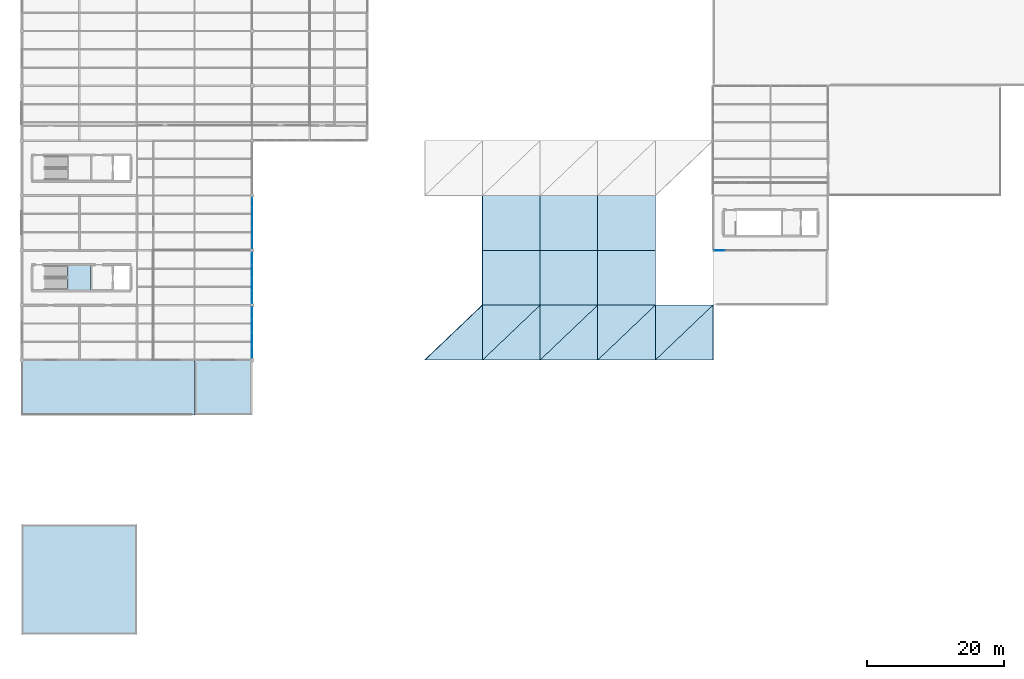
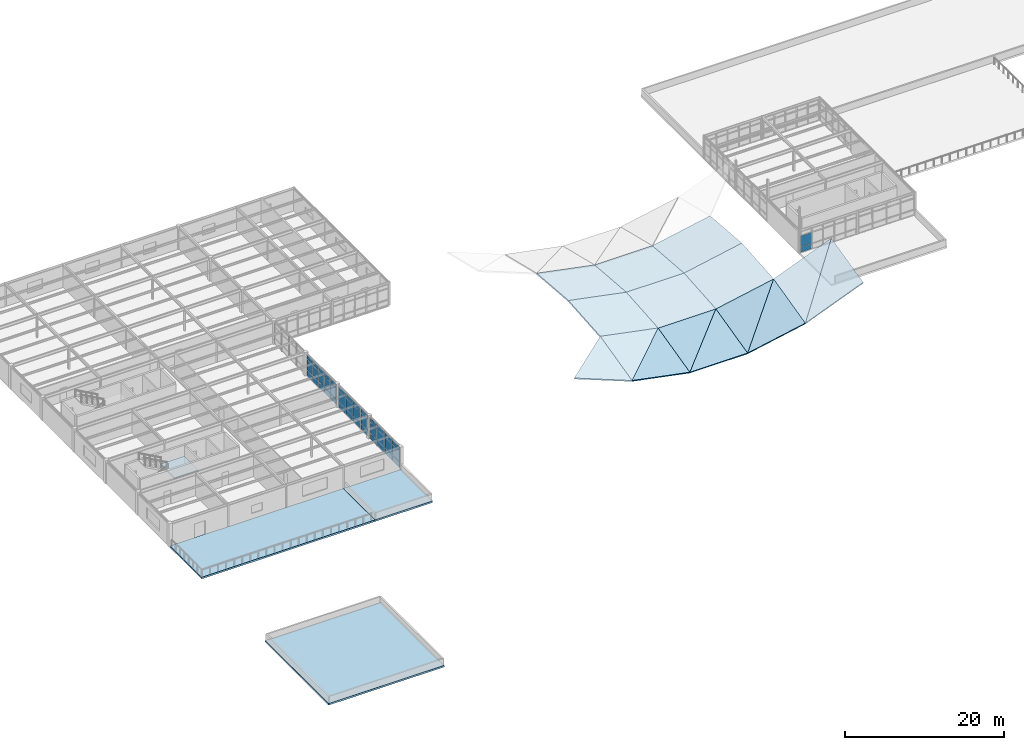
# One storey, part 19 of 32: 41 plates, 19 slabs, 5 elements without a shape of their own.
"""IFC4 building model written with IfcOpenShell, lengths in metres."""

from ifc_helpers import new_model, si_unit, direction, frame, origin, origin_2d, place, context, subcontext, project, spatial, polyline, rectangle, outline, extrude, material, layer, layer_set, type_object, element, aggregate, save


model = new_model("IFC4")

# Units and contexts
model_context = context("Model", 3, precision=1e-05, world=origin(), true_north=direction((0.0, 1.0)))
body_context = subcontext(model_context, "Body", "Model", "MODEL_VIEW")
ifc_project = project(units=[si_unit("LENGTHUNIT", "METRE"), si_unit("AREAUNIT", "SQUARE_METRE"), si_unit("VOLUMEUNIT", "CUBIC_METRE"), si_unit("PLANEANGLEUNIT", "RADIAN"), si_unit("MASSUNIT", "GRAM", prefix="KILO")], contexts=[model_context])

# Site, building, storey
site_placement = place(None, origin())
site = spatial("IfcSite", under=ifc_project, at=site_placement, CompositionType="ELEMENT")
building_placement = place(site_placement, origin())
building = spatial("IfcBuilding", under=site, at=building_placement, Name="Kranzveld Transit Interchange", CompositionType="ELEMENT")
storey_placement = place(building_placement, frame((0.0, 0.0, 17.199951171875)))
storey = spatial("IfcBuildingStorey", under=building, at=storey_placement, Name="L04", CompositionType="ELEMENT", Elevation=17.199951171875)

# Slabs
ifc_material_1 = material(Name="Concrete C35/45", Category="concrete")
ifc_layer_1 = layer(ifc_material_1, 0.260009765625)
ifc_layer_set_1 = layer_set([ifc_layer_1], Name="Concrete C35/45")
slab_type_1 = type_object("IfcSlabType", Name="Community Roof Slab 260 C35/45", PredefinedType="ROOF", material=ifc_layer_set_1)
slab_1_placement = place(storey_placement, frame((0.0, 0.0, -0.260009765625)))
element("IfcSlab", 1, at=slab_1_placement, inside=storey, type_object=slab_type_1, Name="L04 Flat Roof Slab 1", PredefinedType="ROOF", context=body_context, shape_type="SweptSolid", body=[
    extrude(outline(polyline([(16.800048828125, 32.0), (16.800048828125, 16.0), (0.0, 16.0), (0.0, 32.0), (16.800048828125, 32.0)])), origin(), (0.0, 0.0, 1.0), 0.260009765625),
])
slab_2_placement = place(storey_placement, frame((0.0, 0.0, -0.260009765625)))
element("IfcSlab", 2, at=slab_2_placement, inside=storey, type_object=slab_type_1, Name="L04 Flat Roof Slab 2", PredefinedType="ROOF", context=body_context, shape_type="SweptSolid", body=[
    extrude(outline(polyline([(33.60009765625, 48.0), (25.199951171875, 48.0), (25.199951171875, 56.0), (33.60009765625, 56.0), (33.60009765625, 48.0)])), origin(), (0.0, 0.0, 1.0), 0.260009765625),
])

# Curtain wall, plates
ifc_material_2 = material(Name="Bronze-anodised thermally broken aluminium", Category="aluminium")
ifc_layer_2 = layer(ifc_material_2, 0.1650390625)
ifc_layer_set_2 = layer_set([ifc_layer_2], Name="Bronze-anodised thermally broken aluminium")
curtain_wall_type_1 = type_object("IfcCurtainWallType", Name="Sunny Court Arcade Curtain Wall CW-2", PredefinedType="USERDEFINED", material=ifc_layer_set_2)
curtain_wall_1_placement = place(storey_placement, origin())
curtain_wall_1 = element("IfcCurtainWall", 3, at=curtain_wall_1_placement, inside=storey, type_object=curtain_wall_type_1, Name="L04 Curtain Wall 05/K-05/L", ObjectType="CURTAIN WALL", PredefinedType="USERDEFINED")
ifc_material_3 = material(Name="Solar-control double glazing", Category="glass")
ifc_layer_3 = layer(ifc_material_3, 0.02392578125)
ifc_layer_set_3 = layer_set([ifc_layer_3], Name="Solar-control double glazing")
plate_type_1 = type_object("IfcPlateType", Name="Curtain Panel Clear Glazing 24", PredefinedType="CURTAIN_PANEL", material=ifc_layer_set_3)
plate_1_placement = place(storey_placement, frame((33.60009765625, 73.016357421875, 0.06005859375), z_axis=(0.0, 0.0, 1.0), x_axis=(0.0, 1.0, 0.0)))
plate_1 = element("IfcPlate", 4, at=plate_1_placement, type_object=plate_type_1, Name="CW-2 panel 1.1", PredefinedType="CURTAIN_PANEL", context=body_context, shape_type="SweptSolid", body=[
    extrude(rectangle(XDim=1.402587890625, YDim=0.02392578125, at=origin_2d()), origin(), (0.0, 0.0, 1.0), 0.81005859375),
])
plate_2_placement = place(storey_placement, frame((33.60009765625, 73.016357421875, 0.93017578125), z_axis=(0.0, 0.0, 1.0), x_axis=(0.0, 1.0, 0.0)))
plate_2 = element("IfcPlate", 5, at=plate_2_placement, type_object=plate_type_1, Name="CW-2 panel 1.2", PredefinedType="CURTAIN_PANEL", context=body_context, shape_type="SweptSolid", body=[
    extrude(rectangle(XDim=1.402587890625, YDim=0.02392578125, at=origin_2d()), origin(), (0.0, 0.0, 1.0), 1.6298828125),
])
plate_3_placement = place(storey_placement, frame((33.60009765625, 73.016357421875, 2.6201171875), z_axis=(0.0, 0.0, 1.0), x_axis=(0.0, 1.0, 0.0)))
plate_3 = element("IfcPlate", 6, at=plate_3_placement, type_object=plate_type_1, Name="CW-2 panel 1.3", PredefinedType="CURTAIN_PANEL", context=body_context, shape_type="SweptSolid", body=[
    extrude(rectangle(XDim=1.402587890625, YDim=0.02392578125, at=origin_2d()), origin(), (0.0, 0.0, 1.0), 0.610107421875),
])
plate_4_placement = place(storey_placement, frame((33.60009765625, 74.5, 0.06005859375), z_axis=(0.0, 0.0, 1.0), x_axis=(0.0, 1.0, 0.0)))
plate_4 = element("IfcPlate", 7, at=plate_4_placement, type_object=plate_type_1, Name="CW-2 panel 2.1", PredefinedType="CURTAIN_PANEL", context=body_context, shape_type="SweptSolid", body=[
    extrude(rectangle(XDim=1.43505859375, YDim=0.02392578125, at=origin_2d()), origin(), (0.0, 0.0, 1.0), 0.81005859375),
])
plate_5_placement = place(storey_placement, frame((33.60009765625, 74.5, 0.93017578125), z_axis=(0.0, 0.0, 1.0), x_axis=(0.0, 1.0, 0.0)))
plate_5 = element("IfcPlate", 8, at=plate_5_placement, type_object=plate_type_1, Name="CW-2 panel 2.2", PredefinedType="CURTAIN_PANEL", context=body_context, shape_type="SweptSolid", body=[
    extrude(rectangle(XDim=1.43505859375, YDim=0.02392578125, at=origin_2d()), origin(), (0.0, 0.0, 1.0), 1.6298828125),
])
plate_6_placement = place(storey_placement, frame((33.60009765625, 74.5, 2.6201171875), z_axis=(0.0, 0.0, 1.0), x_axis=(0.0, 1.0, 0.0)))
plate_6 = element("IfcPlate", 9, at=plate_6_placement, type_object=plate_type_1, Name="CW-2 panel 2.3", PredefinedType="CURTAIN_PANEL", context=body_context, shape_type="SweptSolid", body=[
    extrude(rectangle(XDim=1.43505859375, YDim=0.02392578125, at=origin_2d()), origin(), (0.0, 0.0, 1.0), 0.610107421875),
])
plate_7_placement = place(storey_placement, frame((33.60009765625, 76.0, 0.06005859375), z_axis=(0.0, 0.0, 1.0), x_axis=(0.0, 1.0, 0.0)))
plate_7 = element("IfcPlate", 10, at=plate_7_placement, type_object=plate_type_1, Name="CW-2 panel 3.1", PredefinedType="CURTAIN_PANEL", context=body_context, shape_type="SweptSolid", body=[
    extrude(rectangle(XDim=1.43505859375, YDim=0.02392578125, at=origin_2d()), origin(), (0.0, 0.0, 1.0), 0.81005859375),
])
plate_8_placement = place(storey_placement, frame((33.60009765625, 76.0, 0.93017578125), z_axis=(0.0, 0.0, 1.0), x_axis=(0.0, 1.0, 0.0)))
plate_8 = element("IfcPlate", 11, at=plate_8_placement, type_object=plate_type_1, Name="CW-2 panel 3.2", PredefinedType="CURTAIN_PANEL", context=body_context, shape_type="SweptSolid", body=[
    extrude(rectangle(XDim=1.43505859375, YDim=0.02392578125, at=origin_2d()), origin(), (0.0, 0.0, 1.0), 1.6298828125),
])
plate_9_placement = place(storey_placement, frame((33.60009765625, 76.0, 2.6201171875), z_axis=(0.0, 0.0, 1.0), x_axis=(0.0, 1.0, 0.0)))
plate_9 = element("IfcPlate", 12, at=plate_9_placement, type_object=plate_type_1, Name="CW-2 panel 3.3", PredefinedType="CURTAIN_PANEL", context=body_context, shape_type="SweptSolid", body=[
    extrude(rectangle(XDim=1.43505859375, YDim=0.02392578125, at=origin_2d()), origin(), (0.0, 0.0, 1.0), 0.610107421875),
])
plate_10_placement = place(storey_placement, frame((33.60009765625, 77.5, 0.06005859375), z_axis=(0.0, 0.0, 1.0), x_axis=(0.0, 1.0, 0.0)))
plate_10 = element("IfcPlate", 13, at=plate_10_placement, type_object=plate_type_1, Name="CW-2 panel 4.1", PredefinedType="CURTAIN_PANEL", context=body_context, shape_type="SweptSolid", body=[
    extrude(rectangle(XDim=1.43505859375, YDim=0.02392578125, at=origin_2d()), origin(), (0.0, 0.0, 1.0), 0.81005859375),
])
plate_11_placement = place(storey_placement, frame((33.60009765625, 77.5, 0.93017578125), z_axis=(0.0, 0.0, 1.0), x_axis=(0.0, 1.0, 0.0)))
plate_11 = element("IfcPlate", 14, at=plate_11_placement, type_object=plate_type_1, Name="CW-2 panel 4.2", PredefinedType="CURTAIN_PANEL", context=body_context, shape_type="SweptSolid", body=[
    extrude(rectangle(XDim=1.43505859375, YDim=0.02392578125, at=origin_2d()), origin(), (0.0, 0.0, 1.0), 1.6298828125),
])
plate_12_placement = place(storey_placement, frame((33.60009765625, 77.5, 2.6201171875), z_axis=(0.0, 0.0, 1.0), x_axis=(0.0, 1.0, 0.0)))
plate_12 = element("IfcPlate", 15, at=plate_12_placement, type_object=plate_type_1, Name="CW-2 panel 4.3", PredefinedType="CURTAIN_PANEL", context=body_context, shape_type="SweptSolid", body=[
    extrude(rectangle(XDim=1.43505859375, YDim=0.02392578125, at=origin_2d()), origin(), (0.0, 0.0, 1.0), 0.610107421875),
])
plate_13_placement = place(storey_placement, frame((33.60009765625, 78.983642578125, 0.06005859375), z_axis=(0.0, 0.0, 1.0), x_axis=(0.0, 1.0, 0.0)))
plate_13 = element("IfcPlate", 16, at=plate_13_placement, type_object=plate_type_1, Name="CW-2 panel 5.1", PredefinedType="CURTAIN_PANEL", context=body_context, shape_type="SweptSolid", body=[
    extrude(rectangle(XDim=1.402587890625, YDim=0.02392578125, at=origin_2d()), origin(), (0.0, 0.0, 1.0), 0.81005859375),
])
plate_14_placement = place(storey_placement, frame((33.60009765625, 78.983642578125, 0.93017578125), z_axis=(0.0, 0.0, 1.0), x_axis=(0.0, 1.0, 0.0)))
plate_14 = element("IfcPlate", 17, at=plate_14_placement, type_object=plate_type_1, Name="CW-2 panel 5.2", PredefinedType="CURTAIN_PANEL", context=body_context, shape_type="SweptSolid", body=[
    extrude(rectangle(XDim=1.402587890625, YDim=0.02392578125, at=origin_2d()), origin(), (0.0, 0.0, 1.0), 1.6298828125),
])
plate_15_placement = place(storey_placement, frame((33.60009765625, 78.983642578125, 2.6201171875), z_axis=(0.0, 0.0, 1.0), x_axis=(0.0, 1.0, 0.0)))
plate_15 = element("IfcPlate", 18, at=plate_15_placement, type_object=plate_type_1, Name="CW-2 panel 5.3", PredefinedType="CURTAIN_PANEL", context=body_context, shape_type="SweptSolid", body=[
    extrude(rectangle(XDim=1.402587890625, YDim=0.02392578125, at=origin_2d()), origin(), (0.0, 0.0, 1.0), 0.610107421875),
])
aggregate(curtain_wall_1, [plate_1, plate_2, plate_3, plate_4, plate_5, plate_6, plate_7, plate_8, plate_9, plate_10, plate_11, plate_12, plate_13, plate_14, plate_15])

ifc_material_4 = material(Name="Bronze-anodised thermally broken aluminium", Category="aluminium")
ifc_layer_4 = layer(ifc_material_4, 0.179931640625)
ifc_layer_set_4 = layer_set([ifc_layer_4], Name="Bronze-anodised thermally broken aluminium")
curtain_wall_type_2 = type_object("IfcCurtainWallType", Name="Concourse Unitised Curtain Wall CW-1", PredefinedType="USERDEFINED", material=ifc_layer_set_4)
curtain_wall_2_placement = place(storey_placement, origin())
curtain_wall_2 = element("IfcCurtainWall", 19, at=curtain_wall_2_placement, inside=storey, type_object=curtain_wall_type_2, Name="L04 Curtain Wall 05/J-05/K", ObjectType="CURTAIN WALL", PredefinedType="USERDEFINED")
ifc_material_5 = material(Name="Solar-control double glazing", Category="glass")
ifc_layer_5 = layer(ifc_material_5, 0.028076171875)
ifc_layer_set_5 = layer_set([ifc_layer_5], Name="Solar-control double glazing")
plate_type_2 = type_object("IfcPlateType", Name="Curtain Panel Double Glazing 28", PredefinedType="CURTAIN_PANEL", material=ifc_layer_set_5)
plate_16_placement = place(storey_placement, frame((33.60009765625, 65.203857421875, 0.06494140625), z_axis=(0.0, 0.0, 1.0), x_axis=(0.0, 1.0, 0.0)))
plate_16 = element("IfcPlate", 20, at=plate_16_placement, type_object=plate_type_2, Name="CW-1 panel 1.1", PredefinedType="CURTAIN_PANEL", context=body_context, shape_type="SweptSolid", body=[
    extrude(rectangle(XDim=1.777587890625, YDim=0.028076171875, at=origin_2d()), origin(), (0.0, 0.0, 1.0), 0.802490234375),
])
plate_17_placement = place(storey_placement, frame((33.60009765625, 65.203857421875, 0.9326171875), z_axis=(0.0, 0.0, 1.0), x_axis=(0.0, 1.0, 0.0)))
plate_17 = element("IfcPlate", 21, at=plate_17_placement, type_object=plate_type_2, Name="CW-1 panel 1.2", PredefinedType="CURTAIN_PANEL", context=body_context, shape_type="SweptSolid", body=[
    extrude(rectangle(XDim=1.777587890625, YDim=0.028076171875, at=origin_2d()), origin(), (0.0, 0.0, 1.0), 1.625),
])
plate_18_placement = place(storey_placement, frame((33.60009765625, 65.203857421875, 2.62255859375), z_axis=(0.0, 0.0, 1.0), x_axis=(0.0, 1.0, 0.0)))
plate_18 = element("IfcPlate", 22, at=plate_18_placement, type_object=plate_type_2, Name="CW-1 panel 1.3", PredefinedType="CURTAIN_PANEL", context=body_context, shape_type="SweptSolid", body=[
    extrude(rectangle(XDim=1.777587890625, YDim=0.028076171875, at=origin_2d()), origin(), (0.0, 0.0, 1.0), 0.6025390625),
])
plate_19_placement = place(storey_placement, frame((33.60009765625, 67.0625, 0.06494140625), z_axis=(0.0, 0.0, 1.0), x_axis=(0.0, 1.0, 0.0)))
plate_19 = element("IfcPlate", 23, at=plate_19_placement, type_object=plate_type_2, Name="CW-1 panel 2.1", PredefinedType="CURTAIN_PANEL", context=body_context, shape_type="SweptSolid", body=[
    extrude(rectangle(XDim=1.81005859375, YDim=0.028076171875, at=origin_2d()), origin(), (0.0, 0.0, 1.0), 0.802490234375),
])
plate_20_placement = place(storey_placement, frame((33.60009765625, 67.0625, 0.9326171875), z_axis=(0.0, 0.0, 1.0), x_axis=(0.0, 1.0, 0.0)))
plate_20 = element("IfcPlate", 24, at=plate_20_placement, type_object=plate_type_2, Name="CW-1 panel 2.2", PredefinedType="CURTAIN_PANEL", context=body_context, shape_type="SweptSolid", body=[
    extrude(rectangle(XDim=1.81005859375, YDim=0.028076171875, at=origin_2d()), origin(), (0.0, 0.0, 1.0), 1.625),
])
plate_21_placement = place(storey_placement, frame((33.60009765625, 67.0625, 2.62255859375), z_axis=(0.0, 0.0, 1.0), x_axis=(0.0, 1.0, 0.0)))
plate_21 = element("IfcPlate", 25, at=plate_21_placement, type_object=plate_type_2, Name="CW-1 panel 2.3", PredefinedType="CURTAIN_PANEL", context=body_context, shape_type="SweptSolid", body=[
    extrude(rectangle(XDim=1.81005859375, YDim=0.028076171875, at=origin_2d()), origin(), (0.0, 0.0, 1.0), 0.6025390625),
])
plate_22_placement = place(storey_placement, frame((33.60009765625, 68.9375, 0.06494140625), z_axis=(0.0, 0.0, 1.0), x_axis=(0.0, 1.0, 0.0)))
plate_22 = element("IfcPlate", 26, at=plate_22_placement, type_object=plate_type_2, Name="CW-1 panel 3.1", PredefinedType="CURTAIN_PANEL", context=body_context, shape_type="SweptSolid", body=[
    extrude(rectangle(XDim=1.81005859375, YDim=0.028076171875, at=origin_2d()), origin(), (0.0, 0.0, 1.0), 0.802490234375),
])
plate_23_placement = place(storey_placement, frame((33.60009765625, 68.9375, 0.9326171875), z_axis=(0.0, 0.0, 1.0), x_axis=(0.0, 1.0, 0.0)))
plate_23 = element("IfcPlate", 27, at=plate_23_placement, type_object=plate_type_2, Name="CW-1 panel 3.2", PredefinedType="CURTAIN_PANEL", context=body_context, shape_type="SweptSolid", body=[
    extrude(rectangle(XDim=1.81005859375, YDim=0.028076171875, at=origin_2d()), origin(), (0.0, 0.0, 1.0), 1.625),
])
plate_24_placement = place(storey_placement, frame((33.60009765625, 68.9375, 2.62255859375), z_axis=(0.0, 0.0, 1.0), x_axis=(0.0, 1.0, 0.0)))
plate_24 = element("IfcPlate", 28, at=plate_24_placement, type_object=plate_type_2, Name="CW-1 panel 3.3", PredefinedType="CURTAIN_PANEL", context=body_context, shape_type="SweptSolid", body=[
    extrude(rectangle(XDim=1.81005859375, YDim=0.028076171875, at=origin_2d()), origin(), (0.0, 0.0, 1.0), 0.6025390625),
])
plate_25_placement = place(storey_placement, frame((33.60009765625, 70.796142578125, 0.06494140625), z_axis=(0.0, 0.0, 1.0), x_axis=(0.0, 1.0, 0.0)))
plate_25 = element("IfcPlate", 29, at=plate_25_placement, type_object=plate_type_2, Name="CW-1 panel 4.1", PredefinedType="CURTAIN_PANEL", context=body_context, shape_type="SweptSolid", body=[
    extrude(rectangle(XDim=1.777587890625, YDim=0.028076171875, at=origin_2d()), origin(), (0.0, 0.0, 1.0), 0.802490234375),
])
plate_26_placement = place(storey_placement, frame((33.60009765625, 70.796142578125, 0.9326171875), z_axis=(0.0, 0.0, 1.0), x_axis=(0.0, 1.0, 0.0)))
plate_26 = element("IfcPlate", 30, at=plate_26_placement, type_object=plate_type_2, Name="CW-1 panel 4.2", PredefinedType="CURTAIN_PANEL", context=body_context, shape_type="SweptSolid", body=[
    extrude(rectangle(XDim=1.777587890625, YDim=0.028076171875, at=origin_2d()), origin(), (0.0, 0.0, 1.0), 1.625),
])
plate_27_placement = place(storey_placement, frame((33.60009765625, 70.796142578125, 2.62255859375), z_axis=(0.0, 0.0, 1.0), x_axis=(0.0, 1.0, 0.0)))
plate_27 = element("IfcPlate", 31, at=plate_27_placement, type_object=plate_type_2, Name="CW-1 panel 4.3", PredefinedType="CURTAIN_PANEL", context=body_context, shape_type="SweptSolid", body=[
    extrude(rectangle(XDim=1.777587890625, YDim=0.028076171875, at=origin_2d()), origin(), (0.0, 0.0, 1.0), 0.6025390625),
])
aggregate(curtain_wall_2, [plate_16, plate_17, plate_18, plate_19, plate_20, plate_21, plate_22, plate_23, plate_24, plate_25, plate_26, plate_27])

curtain_wall_3_placement = place(storey_placement, origin())
curtain_wall_3 = element("IfcCurtainWall", 32, at=curtain_wall_3_placement, inside=storey, type_object=curtain_wall_type_1, Name="L04 Curtain Wall 13/K-14/K", ObjectType="CURTAIN WALL", PredefinedType="USERDEFINED")
ifc_material_6 = material(Name="Pretoria red-purple clinker clay face brick, 35 MPa", Category="masonry")
ifc_layer_6 = layer(ifc_material_6, 0.050048828125)
ifc_layer_set_6 = layer_set([ifc_layer_6], Name="Pretoria red-purple clinker clay face brick, 35 MPa")
plate_type_3 = type_object("IfcPlateType", Name="Curtain Spandrel Clinker Tile 50", PredefinedType="CURTAIN_PANEL", material=ifc_layer_set_6)
plate_28_placement = place(storey_placement, frame((101.738525390625, 72.0, 0.06005859375), z_axis=(0.0, 0.0, 1.0), x_axis=(1.0, 0.0, 0.0)))
plate_28 = element("IfcPlate", 33, at=plate_28_placement, type_object=plate_type_3, Name="CW-2 panel 1.1", PredefinedType="CURTAIN_PANEL", context=body_context, shape_type="SweptSolid", body=[
    extrude(rectangle(XDim=1.541259765625, YDim=0.050048828125, at=origin_2d()), origin(), (0.0, 0.0, 1.0), 0.81005859375),
])
plate_29_placement = place(storey_placement, frame((101.738525390625, 72.0, 0.93017578125), z_axis=(0.0, 0.0, 1.0), x_axis=(1.0, 0.0, 0.0)))
plate_29 = element("IfcPlate", 34, at=plate_29_placement, type_object=plate_type_3, Name="CW-2 panel 1.2", PredefinedType="CURTAIN_PANEL", context=body_context, shape_type="SweptSolid", body=[
    extrude(rectangle(XDim=1.541259765625, YDim=0.050048828125, at=origin_2d()), origin(), (0.0, 0.0, 1.0), 1.669921875),
])
aggregate(curtain_wall_3, [plate_28, plate_29])

ifc_material_7 = material(Name="Bronze-anodised thermally broken aluminium", Category="aluminium")
ifc_layer_7 = layer(ifc_material_7, 0.159912109375)
ifc_layer_set_7 = layer_set([ifc_layer_7], Name="Bronze-anodised thermally broken aluminium")
curtain_wall_type_3 = type_object("IfcCurtainWallType", Name="Bus Boarding Glazed Screen CW-3", PredefinedType="USERDEFINED", material=ifc_layer_set_7)
curtain_wall_4_placement = place(storey_placement, origin())
curtain_wall_4 = element("IfcCurtainWall", 35, at=curtain_wall_4_placement, inside=storey, type_object=curtain_wall_type_3, Name="L04 Curtain Wall 05/H-05/J", ObjectType="CURTAIN WALL", PredefinedType="USERDEFINED")
ifc_material_8 = material(Name="Bronze-anodised thermally broken aluminium", Category="aluminium")
ifc_layer_8 = layer(ifc_material_8, 0.053955078125)
ifc_layer_set_8 = layer_set([ifc_layer_8], Name="Bronze-anodised thermally broken aluminium")
plate_type_4 = type_object("IfcPlateType", Name="Curtain Spandrel Insulated Alu 54", PredefinedType="CURTAIN_PANEL", material=ifc_layer_set_8)
plate_30_placement = place(storey_placement, frame((33.60009765625, 57.202392578125, 0.06494140625), z_axis=(0.0, 0.0, 1.0), x_axis=(0.0, 1.0, 0.0)))
plate_30 = element("IfcPlate", 36, at=plate_30_placement, type_object=plate_type_4, Name="CW-3 panel 1.1", PredefinedType="CURTAIN_PANEL", context=body_context, shape_type="SweptSolid", body=[
    extrude(rectangle(XDim=1.784912109375, YDim=0.053955078125, at=origin_2d()), origin(), (0.0, 0.0, 1.0), 0.802490234375),
])
plate_31_placement = place(storey_placement, frame((33.60009765625, 57.202392578125, 0.9326171875), z_axis=(0.0, 0.0, 1.0), x_axis=(0.0, 1.0, 0.0)))
plate_31 = element("IfcPlate", 37, at=plate_31_placement, type_object=plate_type_4, Name="CW-3 panel 1.2", PredefinedType="CURTAIN_PANEL", context=body_context, shape_type="SweptSolid", body=[
    extrude(rectangle(XDim=1.784912109375, YDim=0.053955078125, at=origin_2d()), origin(), (0.0, 0.0, 1.0), 1.625),
])
plate_32_placement = place(storey_placement, frame((33.60009765625, 57.202392578125, 2.62255859375), z_axis=(0.0, 0.0, 1.0), x_axis=(0.0, 1.0, 0.0)))
plate_32 = element("IfcPlate", 38, at=plate_32_placement, type_object=plate_type_4, Name="CW-3 panel 1.3", PredefinedType="CURTAIN_PANEL", context=body_context, shape_type="SweptSolid", body=[
    extrude(rectangle(XDim=1.784912109375, YDim=0.053955078125, at=origin_2d()), origin(), (0.0, 0.0, 1.0), 0.6025390625),
])
plate_33_placement = place(storey_placement, frame((33.60009765625, 59.0625, 0.06494140625), z_axis=(0.0, 0.0, 1.0), x_axis=(0.0, 1.0, 0.0)))
plate_33 = element("IfcPlate", 39, at=plate_33_placement, type_object=plate_type_4, Name="CW-3 panel 2.1", PredefinedType="CURTAIN_PANEL", context=body_context, shape_type="SweptSolid", body=[
    extrude(rectangle(XDim=1.81494140625, YDim=0.053955078125, at=origin_2d()), origin(), (0.0, 0.0, 1.0), 0.802490234375),
])
plate_34_placement = place(storey_placement, frame((33.60009765625, 59.0625, 0.9326171875), z_axis=(0.0, 0.0, 1.0), x_axis=(0.0, 1.0, 0.0)))
plate_34 = element("IfcPlate", 40, at=plate_34_placement, type_object=plate_type_4, Name="CW-3 panel 2.2", PredefinedType="CURTAIN_PANEL", context=body_context, shape_type="SweptSolid", body=[
    extrude(rectangle(XDim=1.81494140625, YDim=0.053955078125, at=origin_2d()), origin(), (0.0, 0.0, 1.0), 1.625),
])
plate_35_placement = place(storey_placement, frame((33.60009765625, 59.0625, 2.62255859375), z_axis=(0.0, 0.0, 1.0), x_axis=(0.0, 1.0, 0.0)))
plate_35 = element("IfcPlate", 41, at=plate_35_placement, type_object=plate_type_4, Name="CW-3 panel 2.3", PredefinedType="CURTAIN_PANEL", context=body_context, shape_type="SweptSolid", body=[
    extrude(rectangle(XDim=1.81494140625, YDim=0.053955078125, at=origin_2d()), origin(), (0.0, 0.0, 1.0), 0.6025390625),
])
plate_36_placement = place(storey_placement, frame((33.60009765625, 60.9375, 0.06494140625), z_axis=(0.0, 0.0, 1.0), x_axis=(0.0, 1.0, 0.0)))
plate_36 = element("IfcPlate", 42, at=plate_36_placement, type_object=plate_type_4, Name="CW-3 panel 3.1", PredefinedType="CURTAIN_PANEL", context=body_context, shape_type="SweptSolid", body=[
    extrude(rectangle(XDim=1.81494140625, YDim=0.053955078125, at=origin_2d()), origin(), (0.0, 0.0, 1.0), 0.802490234375),
])
plate_37_placement = place(storey_placement, frame((33.60009765625, 60.9375, 0.9326171875), z_axis=(0.0, 0.0, 1.0), x_axis=(0.0, 1.0, 0.0)))
plate_37 = element("IfcPlate", 43, at=plate_37_placement, type_object=plate_type_4, Name="CW-3 panel 3.2", PredefinedType="CURTAIN_PANEL", context=body_context, shape_type="SweptSolid", body=[
    extrude(rectangle(XDim=1.81494140625, YDim=0.053955078125, at=origin_2d()), origin(), (0.0, 0.0, 1.0), 1.625),
])
plate_38_placement = place(storey_placement, frame((33.60009765625, 60.9375, 2.62255859375), z_axis=(0.0, 0.0, 1.0), x_axis=(0.0, 1.0, 0.0)))
plate_38 = element("IfcPlate", 44, at=plate_38_placement, type_object=plate_type_4, Name="CW-3 panel 3.3", PredefinedType="CURTAIN_PANEL", context=body_context, shape_type="SweptSolid", body=[
    extrude(rectangle(XDim=1.81494140625, YDim=0.053955078125, at=origin_2d()), origin(), (0.0, 0.0, 1.0), 0.6025390625),
])
plate_39_placement = place(storey_placement, frame((33.60009765625, 62.797607421875, 0.06494140625), z_axis=(0.0, 0.0, 1.0), x_axis=(0.0, 1.0, 0.0)))
plate_39 = element("IfcPlate", 45, at=plate_39_placement, type_object=plate_type_4, Name="CW-3 panel 4.1", PredefinedType="CURTAIN_PANEL", context=body_context, shape_type="SweptSolid", body=[
    extrude(rectangle(XDim=1.784912109375, YDim=0.053955078125, at=origin_2d()), origin(), (0.0, 0.0, 1.0), 0.802490234375),
])
plate_40_placement = place(storey_placement, frame((33.60009765625, 62.797607421875, 0.9326171875), z_axis=(0.0, 0.0, 1.0), x_axis=(0.0, 1.0, 0.0)))
plate_40 = element("IfcPlate", 46, at=plate_40_placement, type_object=plate_type_4, Name="CW-3 panel 4.2", PredefinedType="CURTAIN_PANEL", context=body_context, shape_type="SweptSolid", body=[
    extrude(rectangle(XDim=1.784912109375, YDim=0.053955078125, at=origin_2d()), origin(), (0.0, 0.0, 1.0), 1.625),
])
plate_41_placement = place(storey_placement, frame((33.60009765625, 62.797607421875, 2.62255859375), z_axis=(0.0, 0.0, 1.0), x_axis=(0.0, 1.0, 0.0)))
plate_41 = element("IfcPlate", 47, at=plate_41_placement, type_object=plate_type_4, Name="CW-3 panel 4.3", PredefinedType="CURTAIN_PANEL", context=body_context, shape_type="SweptSolid", body=[
    extrude(rectangle(XDim=1.784912109375, YDim=0.053955078125, at=origin_2d()), origin(), (0.0, 0.0, 1.0), 0.6025390625),
])
aggregate(curtain_wall_4, [plate_30, plate_31, plate_32, plate_33, plate_34, plate_35, plate_36, plate_37, plate_38, plate_39, plate_40, plate_41])

# Slabs
ifc_material_9 = material(Name="Concrete C35/45", Category="concrete")
ifc_layer_9 = layer(ifc_material_9, 0.260009765625)
ifc_layer_set_9 = layer_set([ifc_layer_9], Name="Concrete C35/45")
slab_type_2 = type_object("IfcSlabType", Name="Garden Terrace Slab 260 C35/45", PredefinedType="FLOOR", material=ifc_layer_set_9)
slab_3_placement = place(storey_placement, frame((0.0, 0.0, -0.260009765625)))
element("IfcSlab", 48, at=slab_3_placement, inside=storey, type_object=slab_type_2, Name="L04 Walkable Terrace TERR_L04_V5S", PredefinedType="FLOOR", context=body_context, shape_type="SweptSolid", body=[
    extrude(outline(polyline([(25.199951171875, 48.0), (25.199951171875, 56.0), (0.0, 56.0), (0.0, 48.0), (25.199951171875, 48.0)])), origin(), (0.0, 0.0, 1.0), 0.260009765625),
])
ifc_material_10 = material(Name="Concrete C35/45", Category="concrete")
ifc_layer_10 = layer(ifc_material_10, 0.179931640625)
ifc_layer_set_10 = layer_set([ifc_layer_10], Name="Concrete C35/45")
slab_type_3 = type_object("IfcSlabType", Name="Saddle Hypar Composite Roof Deck 180 C35/45", PredefinedType="ROOF", material=ifc_layer_set_10)
slab_4_placement = place(storey_placement, frame((58.800048828125, 56.0, 5.199951171875), z_axis=(0.359220086174, -0.221004353797, 0.906707232403), x_axis=(0.929695991495, 0.0, -0.36832779341)))
element("IfcSlab", 49, at=slab_4_placement, inside=storey, type_object=slab_type_3, Name="Concourse Saddle Roof Facet 08/H-1", PredefinedType="ROOF", context=body_context, shape_type="SweptSolid", body=[
    extrude(outline(polyline([(0.0, 0.0), (9.035106551598119, 1.1102230246251565e-16), (8.31688533920402, 8.20283291691132), (0.0, 0.0)])), origin(), (0.0, 0.0, -1.0), 0.179931640625),
])
slab_5_placement = place(storey_placement, frame((67.199951171875, 56.0, 1.8720703125), z_axis=(0.188995832027, -0.232542963009, 0.954046301723), x_axis=(0.980937602639, 0.0, -0.19432297787)))
element("IfcSlab", 50, at=slab_5_placement, inside=storey, type_object=slab_type_3, Name="Concourse Saddle Roof Facet 09/H-1", PredefinedType="ROOF", context=body_context, shape_type="SweptSolid", body=[
    extrude(outline(polyline([(0.0, 0.0), (8.563385134563546, 0.0), (8.184464816142807, 8.225492627495608), (0.0, 0.0)])), origin(), (0.0, 0.0, -1.0), 0.179931640625),
])
slab_6_placement = place(storey_placement, frame((67.199951171875, 56.0, 1.8720703125), z_axis=(0.188995832027, -0.232542963009, 0.954046301723), x_axis=(0.723924117175, 0.689439517296, 0.024637868492)))
element("IfcSlab", 51, at=slab_6_placement, inside=storey, type_object=slab_type_3, Name="Concourse Saddle Roof Facet 09/H-2", PredefinedType="ROOF", context=body_context, shape_type="SweptSolid", body=[
    extrude(outline(polyline([(0.0, 0.0), (11.603628453706373, 6.661338147750939e-16), (5.563558778903149, 6.070347871941641), (0.0, 0.0)])), origin(), (0.0, 0.0, -1.0), 0.179931640625),
])
slab_7_placement = place(storey_placement, frame((67.199951171875, 64.0, 3.822021484375), z_axis=(0.19370843046, -0.079467029525, 0.977835382458), x_axis=(0.980937602639, 0.0, -0.19432297787)))
element("IfcSlab", 52, at=slab_7_placement, inside=storey, type_object=slab_type_3, Name="Concourse Saddle Roof Panel 09/J", PredefinedType="ROOF", context=body_context, shape_type="SweptSolid", body=[
    extrude(outline(polyline([(0.0, 0.0), (8.563385134563546, 0.0), (8.437046733667787, 8.02538030622875), (-0.12633840089575912, 8.02538030622875), (0.0, 0.0)])), origin(), (0.0, 0.0, -1.0), 0.179931640625),
])
slab_8_placement = place(storey_placement, frame((67.199951171875, 72.0, 4.47216796875), z_axis=(0.19370843046, 0.079467029525, 0.977835382458), x_axis=(0.980937602639, 0.0, -0.19432297787)))
element("IfcSlab", 53, at=slab_8_placement, inside=storey, type_object=slab_type_3, Name="Concourse Saddle Roof Panel 09/K", PredefinedType="ROOF", context=body_context, shape_type="SweptSolid", body=[
    extrude(outline(polyline([(0.0, 0.0), (8.563385134563546, 0.0), (8.689723535459306, 8.02538030622875), (0.12633840089575912, 8.02538030622875), (0.0, 0.0)])), origin(), (0.0, 0.0, -1.0), 0.179931640625),
])
slab_9_placement = place(storey_placement, frame((75.60009765625, 56.0, 0.2080078125), z_axis=(0.0, -0.236810793292, 0.971555787477), x_axis=(1.0, 0.0, 0.0)))
element("IfcSlab", 54, at=slab_9_placement, inside=storey, type_object=slab_type_3, Name="Concourse Saddle Roof Facet 10/H-1", PredefinedType="ROOF", context=body_context, shape_type="SweptSolid", body=[
    extrude(outline(polyline([(0.0, 0.0), (8.39990234375, 0.0), (8.39990234375, 8.234215783709868), (0.0, 0.0)])), origin(), (0.0, 0.0, -1.0), 0.179931640625),
])
slab_10_placement = place(storey_placement, frame((75.60009765625, 56.0, 0.2080078125), z_axis=(0.0, -0.236810793292, 0.971555787477), x_axis=(0.714114597056, 0.68011704692, 0.165774379082)))
element("IfcSlab", 55, at=slab_10_placement, inside=storey, type_object=slab_type_3, Name="Concourse Saddle Roof Facet 10/H-2", PredefinedType="ROOF", context=body_context, shape_type="SweptSolid", body=[
    extrude(outline(polyline([(0.0, 0.0), (11.762681197636594, -3.885780586188048e-16), (5.7641883201187, 5.880173686457217), (0.0, 0.0)])), origin(), (0.0, 0.0, -1.0), 0.179931640625),
])
for number, where, z_axis, x_axis, name in (
    (56, (75.60009765625, 64.0, 2.157958984375), (0.0, -0.081001262782, 0.996713998812), (1.0, 0.0, 0.0), "Concourse Saddle Roof Panel 10/J"),
    (57, (75.60009765625, 72.0, 2.80810546875), (0.0, 0.081001262782, 0.996713998812), (1.0, 0.0, 0.0), "Concourse Saddle Roof Panel 10/K"),
):
    element("IfcSlab", number, at=place(storey_placement, frame(where, z_axis=z_axis, x_axis=x_axis)), inside=storey, type_object=slab_type_3, Name=name, PredefinedType="ROOF", context=body_context, shape_type="SweptSolid", body=[
        extrude(outline(polyline([(0.0, 0.0), (8.39990234375, 0.0), (8.39990234375, 8.026374676723307), (0.0, 8.026374676723307), (0.0, 0.0)])), origin(), (0.0, 0.0, -1.0), 0.179931640625),
    ])
slab_11_placement = place(storey_placement, frame((84.0, 56.0, 0.2080078125), z_axis=(-0.189001128915, -0.232542721585, 0.954045311244), x_axis=(0.980936526023, 0.0, 0.194328412526)))
element("IfcSlab", 58, at=slab_11_placement, inside=storey, type_object=slab_type_3, Name="Concourse Saddle Roof Facet 11/H-1", PredefinedType="ROOF", context=body_context, shape_type="SweptSolid", body=[
    extrude(outline(polyline([(0.0, 0.0), (8.563145647975572, 0.0), (8.94207656370925, 8.225492139306798), (0.0, 0.0)])), origin(), (0.0, 0.0, -1.0), 0.179931640625),
])
slab_12_placement = place(storey_placement, frame((84.0, 56.0, 0.2080078125), z_axis=(-0.189001128915, -0.232542721585, 0.954045311244), x_axis=(0.691357119328, 0.658443006631, 0.297452753514)))
element("IfcSlab", 59, at=slab_12_placement, inside=storey, type_object=slab_type_3, Name="Concourse Saddle Roof Facet 11/H-2", PredefinedType="ROOF", context=body_context, shape_type="SweptSolid", body=[
    extrude(outline(polyline([(0.0, 0.0), (12.149874657996937, -1.1934897514720433e-15), (5.847562398339835, 5.797268630158412), (0.0, 0.0)])), origin(), (0.0, 0.0, -1.0), 0.179931640625),
])
slab_13_placement = place(storey_placement, frame((84.0, 64.0, 2.157958984375), z_axis=(-0.193713849271, -0.079466942858, 0.977834316024), x_axis=(0.980936526023, 0.0, 0.194328412526)))
element("IfcSlab", 60, at=slab_13_placement, inside=storey, type_object=slab_type_3, Name="Concourse Saddle Roof Panel 11/J", PredefinedType="ROOF", context=body_context, shape_type="SweptSolid", body=[
    extrude(outline(polyline([(0.0, 0.0), (8.563145647975572, 0.0), (8.689487582193525, 8.025380250605153), (0.1263419342179522, 8.025380250605153), (0.0, 0.0)])), origin(), (0.0, 0.0, -1.0), 0.179931640625),
])
slab_14_placement = place(storey_placement, frame((84.0, 72.0, 2.80810546875), z_axis=(-0.193713849271, 0.079466942858, 0.977834316024), x_axis=(0.980936526023, 0.0, 0.194328412526)))
element("IfcSlab", 61, at=slab_14_placement, inside=storey, type_object=slab_type_3, Name="Concourse Saddle Roof Panel 11/K", PredefinedType="ROOF", context=body_context, shape_type="SweptSolid", body=[
    extrude(outline(polyline([(0.0, 0.0), (8.563145647975572, 0.0), (8.436803713757621, 8.025380250605153), (-0.1263419342179522, 8.025380250605153), (0.0, 0.0)])), origin(), (0.0, 0.0, -1.0), 0.179931640625),
])
slab_15_placement = place(storey_placement, frame((92.39990234375, 56.0, 1.8720703125), z_axis=(-0.359208796194, -0.221031501485, 0.906705087715), x_axis=(0.929699657216, 0.0, 0.368318540631)))
element("IfcSlab", 62, at=slab_15_placement, inside=storey, type_object=slab_type_3, Name="Concourse Saddle Roof Facet 12/H-1", PredefinedType="ROOF", context=body_context, shape_type="SweptSolid", body=[
    extrude(outline(polyline([(0.0, 0.0), (9.035333528606023, 0.0), (9.753626620052408, 8.20288466282913), (0.0, 0.0)])), origin(), (0.0, 0.0, -1.0), 0.179931640625),
])
slab_16_placement = place(storey_placement, frame((92.39990234375, 56.0, 1.8720703125), z_axis=(-0.35923394486, -0.221003090532, 0.906702049648), x_axis=(0.659122857089, 0.627725107713, 0.414147616689)))
element("IfcSlab", 63, at=slab_16_placement, inside=storey, type_object=slab_type_3, Name="Concourse Saddle Roof Facet 12/H-2", PredefinedType="ROOF", context=body_context, shape_type="SweptSolid", body=[
    extrude(outline(polyline([(0.0, 0.0), (12.744432079738678, -7.771561172376096e-16), (5.829368492198557, 5.815562961129337), (0.0, 0.0)])), origin(), (0.0, 0.0, -1.0), 0.179931640625),
])

# Stair, slab
ifc_material_11 = material(Name="Concrete C35/45", Category="concrete")
stair_type = type_object("IfcStairType", Name="Dogleg Stair 1650W H3840 C35/45", PredefinedType="HALF_TURN_STAIR", material=ifc_material_11)
stair_placement = place(storey_placement, origin())
stair = element("IfcStair", 64, at=stair_placement, inside=storey, type_object=stair_type, Name="L04 Operations Core C1", PredefinedType="HALF_TURN_STAIR")
ifc_material_12 = material(Name="Concrete C35/45", Category="concrete")
ifc_layer_11 = layer(ifc_material_12, 0.199951171875)
ifc_layer_set_11 = layer_set([ifc_layer_11], Name="Concrete C35/45")
slab_type_4 = type_object("IfcSlabType", Name="Stair & Ramp Landing 200 C35/45", PredefinedType="LANDING", material=ifc_layer_set_11)
slab_17_placement = place(storey_placement, frame((0.0, 0.0, 1.719970703125)))
slab_17 = element("IfcSlab", 65, at=slab_17_placement, type_object=slab_type_4, Name="ST-C1 landing 1", PredefinedType="LANDING", context=body_context, shape_type="SweptSolid", body=[
    extrude(outline(polyline([(6.590087890625, 66.235107421875), (10.050048828125, 66.235107421875), (10.050048828125, 69.764892578125), (6.590087890625, 69.764892578125), (6.590087890625, 66.235107421875)])), origin(), (0.0, 0.0, 1.0), 0.2001953125),
])
aggregate(stair, [slab_17])

save(model, "model.ifc")
